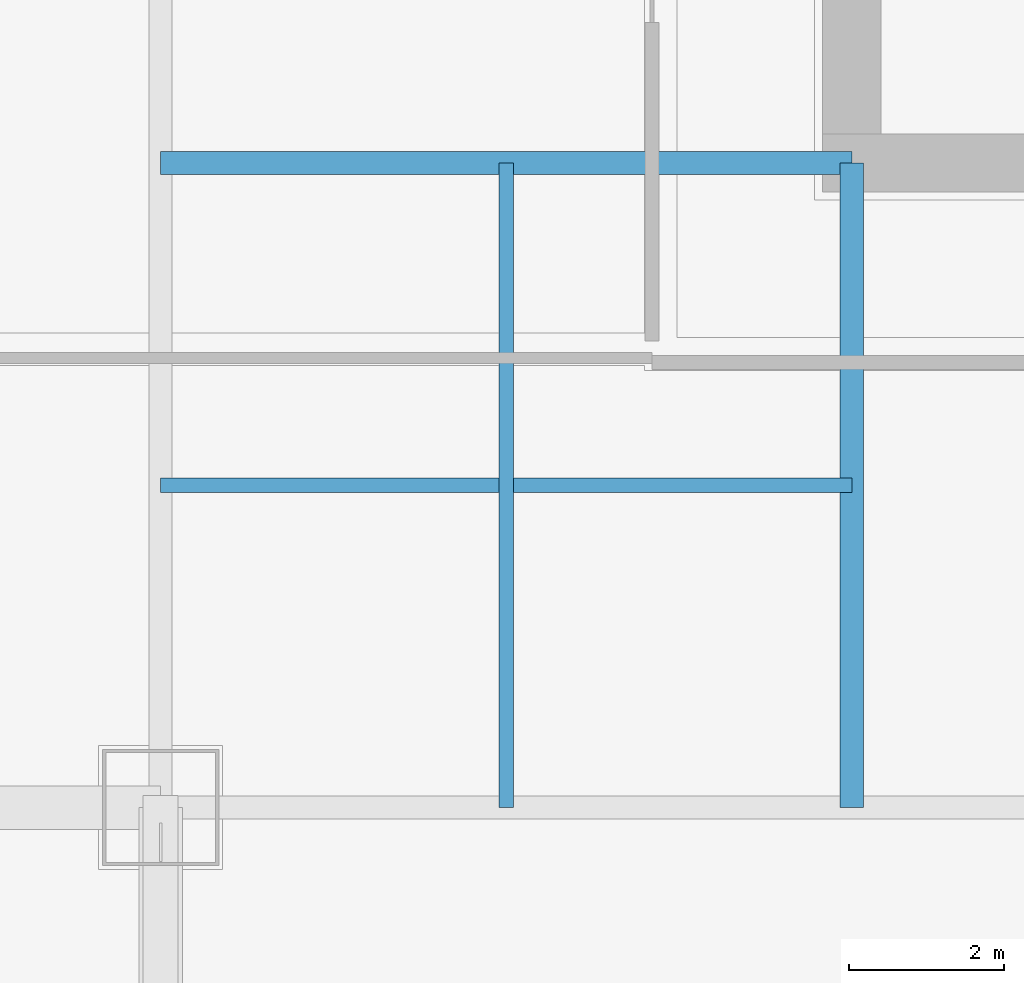
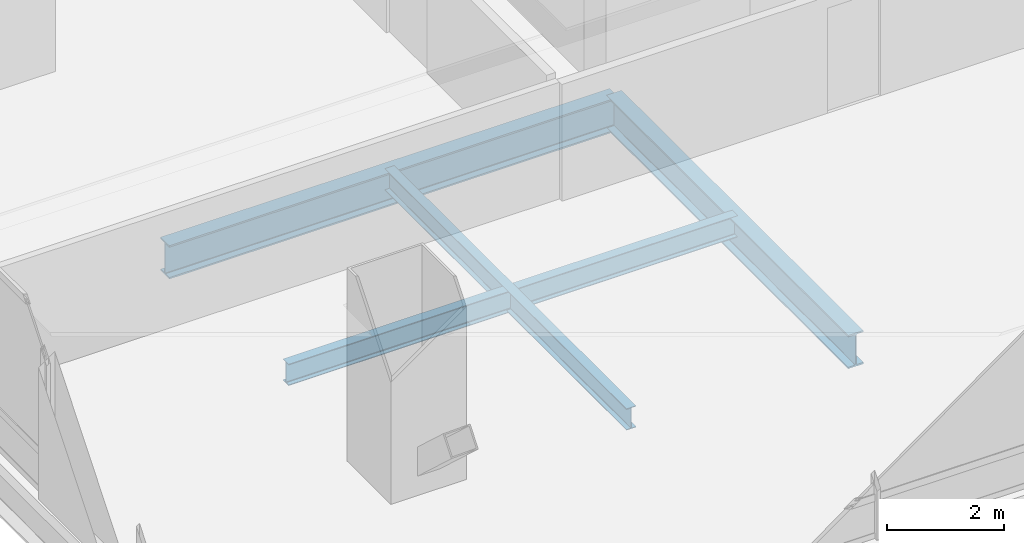
# One storey, part 4 of 45: 4 beams.
"""IFC4 building model written with IfcOpenShell, lengths in metres."""

from ifc_helpers import new_model, si_unit, direction, frame, origin, origin_2d, place, context, subcontext, project, spatial, i_section, extrude, material, material_profile, profile_set, type_object, element, save


model = new_model("IFC4")

# Units and contexts
model_context = context("Model", 3, precision=1e-05, world=origin(), true_north=direction((0.0, 1.0)))
body_context = subcontext(model_context, "Body", "Model", "MODEL_VIEW")
ifc_project = project(units=[si_unit("LENGTHUNIT", "METRE"), si_unit("AREAUNIT", "SQUARE_METRE"), si_unit("VOLUMEUNIT", "CUBIC_METRE"), si_unit("PLANEANGLEUNIT", "RADIAN"), si_unit("MASSUNIT", "GRAM", prefix="KILO")], contexts=[model_context])

# Site, building, storey
site_placement = place(None, origin())
site = spatial("IfcSite", under=ifc_project, at=site_placement, CompositionType="ELEMENT")
building_placement = place(site_placement, origin())
building = spatial("IfcBuilding", under=site, at=building_placement, Name="Punatoya Terracotta Tower", CompositionType="ELEMENT")
storey_placement = place(building_placement, frame((0.0, 0.0, 56.550048828125)))
storey = spatial("IfcBuildingStorey", under=building, at=storey_placement, Name="L12", CompositionType="ELEMENT", Elevation=56.550048828125)

# Beams
ifc_material = material(Name="Steel S355", Category="steel")
ifc_material_profile_1 = material_profile(ifc_material, i_section(OverallWidth=0.300048828125, OverallDepth=0.699951171875, WebThickness=0.01708984375, FlangeThickness=0.031982421875, FilletRadius=0.01806640625, at=origin_2d()))
ifc_profile_set_1 = profile_set([ifc_material_profile_1], Name="Steel S355")
beam_type_1 = type_object("IfcBeamType", Name="BM-PRI-700", PredefinedType="BEAM", material=ifc_profile_set_1)
beam_1_placement = place(storey_placement, frame((-19.10009765625, -9.199951171875, -0.590087890625), z_axis=(1.0, 0.0, 0.0), x_axis=(0.0, 1.0, 0.0)))
element("IfcBeam", 1, at=beam_1_placement, inside=storey, type_object=beam_type_1, Name="BM-L12-PR-WS", PredefinedType="BEAM", context=body_context, shape_type="SweptSolid", body=[
    extrude(i_section(OverallWidth=0.300048828125, OverallDepth=0.699951171875, WebThickness=0.01708984375, FlangeThickness=0.031982421875, FilletRadius=0.01806640625, at=origin_2d()), origin(), (0.0, 0.0, 1.0), 8.900146484375),
])
beam_2_placement = place(storey_placement, frame((-10.199951171875, -17.5, -0.590087890625), z_axis=(0.0, 1.0, 0.0), x_axis=(-1.0, 0.0, 0.0)))
element("IfcBeam", 2, at=beam_2_placement, inside=storey, type_object=beam_type_1, Name="BM-L12-PR-S1", PredefinedType="BEAM", context=body_context, shape_type="SweptSolid", body=[
    extrude(i_section(OverallWidth=0.300048828125, OverallDepth=0.699951171875, WebThickness=0.01708984375, FlangeThickness=0.031982421875, FilletRadius=0.01806640625, at=origin_2d()), origin(), (0.0, 0.0, 1.0), 8.300048828125),
])
ifc_material_profile_2 = material_profile(ifc_material, i_section(OverallWidth=0.18994140625, OverallDepth=0.449951171875, WebThickness=0.009521484375, FlangeThickness=0.0146484375, FilletRadius=0.01806640625, at=origin_2d()))
ifc_profile_set_2 = profile_set([ifc_material_profile_2], Name="Steel S355")
beam_type_2 = type_object("IfcBeamType", Name="BM-SEC-450", PredefinedType="JOIST", material=ifc_profile_set_2)
beam_3_placement = place(storey_placement, frame((-19.10009765625, -13.35009765625, -0.465087890625), z_axis=(1.0, 0.0, 0.0), x_axis=(0.0, 1.0, 0.0)))
element("IfcBeam", 3, at=beam_3_placement, inside=storey, type_object=beam_type_2, Name="BM-L12-SJS-1", PredefinedType="JOIST", context=body_context, shape_type="SweptSolid", body=[
    extrude(i_section(OverallWidth=0.18994140625, OverallDepth=0.449951171875, WebThickness=0.009521484375, FlangeThickness=0.0146484375, FilletRadius=0.01806640625, at=origin_2d()), origin(), (0.0, 0.0, 1.0), 8.900146484375),
])
beam_4_placement = place(storey_placement, frame((-14.64990234375, -17.5, -0.465087890625), z_axis=(0.0, 1.0, 0.0), x_axis=(-1.0, 0.0, 0.0)))
element("IfcBeam", 4, at=beam_4_placement, inside=storey, type_object=beam_type_2, Name="BM-L12-SJW-1", PredefinedType="JOIST", context=body_context, shape_type="SweptSolid", body=[
    extrude(i_section(OverallWidth=0.18994140625, OverallDepth=0.449951171875, WebThickness=0.009521484375, FlangeThickness=0.0146484375, FilletRadius=0.01806640625, at=origin_2d()), origin(), (0.0, 0.0, 1.0), 8.300048828125),
])

save(model, "model.ifc")
